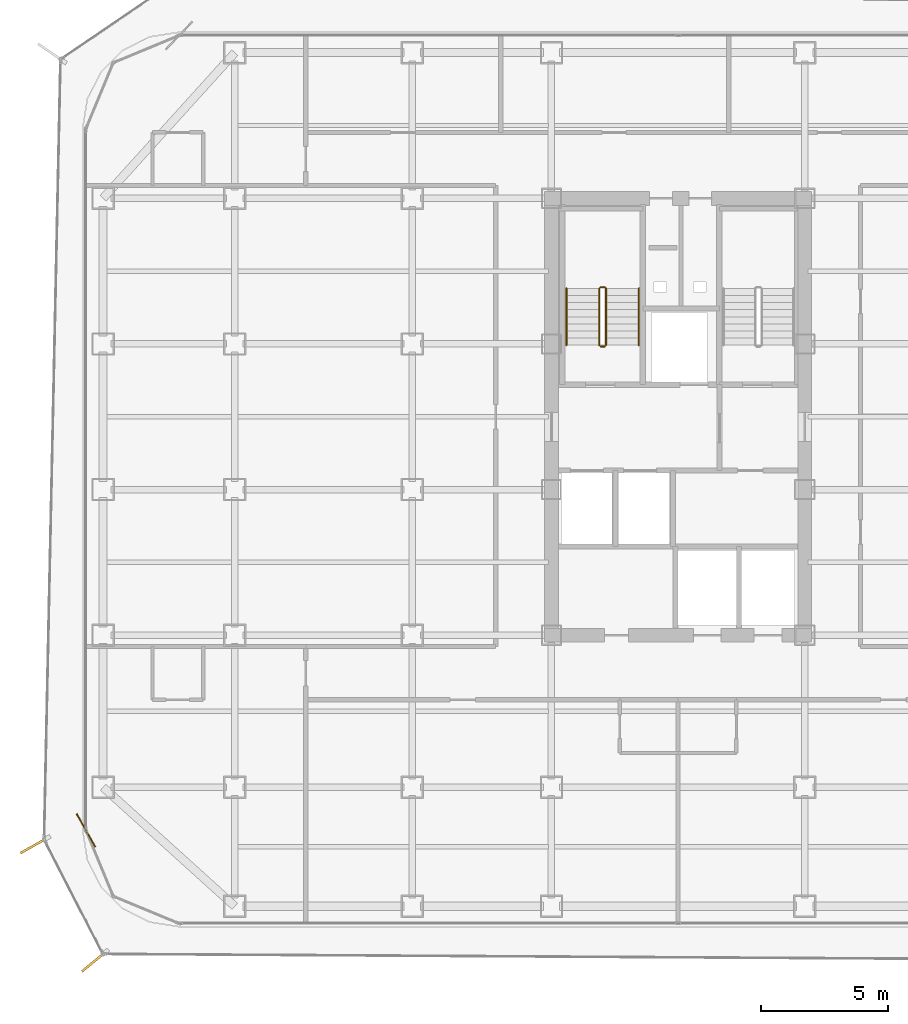
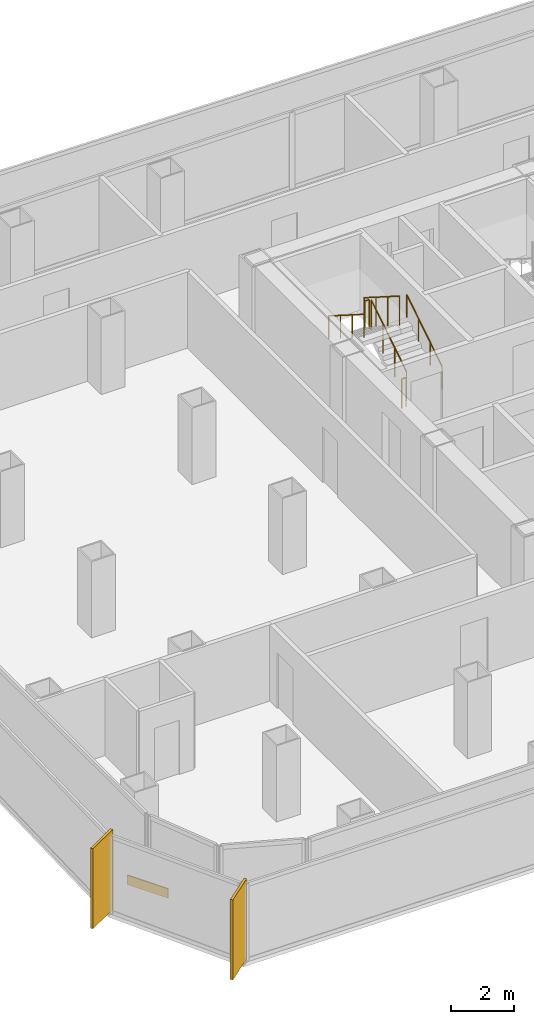
# One storey, part 19 of 21: 6 railings, 2 shading devices, 1 covering.
"""IFC4 building model written with IfcOpenShell, lengths in metres."""

from ifc_helpers import new_model, si_unit, direction, frame, origin, origin_2d, place, context, subcontext, project, spatial, rectangle, circle, extrude, source, transform, mapped, material, layer, layer_set, type_object, element, save


model = new_model("IFC4")

# Units and contexts
model_context = context("Model", 3, precision=1e-05, world=origin(), true_north=direction((0.0, 1.0)))
body_context = subcontext(model_context, "Body", "Model", "MODEL_VIEW")
ifc_project = project(units=[si_unit("LENGTHUNIT", "METRE"), si_unit("AREAUNIT", "SQUARE_METRE"), si_unit("VOLUMEUNIT", "CUBIC_METRE"), si_unit("PLANEANGLEUNIT", "RADIAN"), si_unit("MASSUNIT", "GRAM", prefix="KILO")], contexts=[model_context])

# Site, building, storey
site_placement = place(None, origin())
site = spatial("IfcSite", under=ifc_project, at=site_placement, CompositionType="ELEMENT")
building_placement = place(site_placement, origin())
building = spatial("IfcBuilding", under=site, at=building_placement, Name="Kolveth Station Tower", CompositionType="ELEMENT")
storey_placement = place(building_placement, frame((0.0, 0.0, 137.5)))
storey = spatial("IfcBuildingStorey", under=building, at=storey_placement, Name="L38", CompositionType="ELEMENT", Elevation=137.5)

# Railings
ifc_material_1 = material(Name="Painted Steel S355 balustrade", Category="steel")
railing_type_1 = type_object("IfcRailingType", Name="Guard_GR2", PredefinedType="BALUSTRADE", material=ifc_material_1)
railing_1_placement = place(storey_placement, frame((20.64990234375, 22.949951171875, 0.177734375)))
element("IfcRailing", 1, at=railing_1_placement, inside=storey, type_object=railing_type_1, Name="L38 ST1 stair guard 1", PredefinedType="BALUSTRADE", context=body_context, shape_type="SweptSolid", body=[
    extrude(circle(Radius=0.02392578125, at=origin_2d()), frame((0.0, 0.0, 1.1259765625), z_axis=(0.0, 0.84418770128, 0.536047689118), x_axis=(-1.0, 0.0, 0.0)), (0.0, 0.0, 1.0), 2.6533203125),
    extrude(circle(Radius=0.02099609375, at=origin_2d()), origin(), (0.0, 0.0, 1.0), 1.101806640625),
    extrude(circle(Radius=0.02099609375, at=origin_2d()), frame((0.0, 0.74658203125, 0.47412109375)), (0.0, 0.0, 1.0), 1.101806640625),
    extrude(circle(Radius=0.02099609375, at=origin_2d()), frame((0.0, 1.493408203125, 0.9482421875)), (0.0, 0.0, 1.0), 1.101806640625),
    extrude(circle(Radius=0.02099609375, at=origin_2d()), frame((0.0, 2.239990234375, 1.42236328125)), (0.0, 0.0, 1.0), 1.101806640625),
])
railing_2_placement = place(storey_placement, frame((20.60009765625, 25.239990234375, 1.60009765625)))
element("IfcRailing", 2, at=railing_2_placement, inside=storey, type_object=railing_type_1, Name="L38 ST1 stair guard 2", PredefinedType="BALUSTRADE", context=body_context, shape_type="SweptSolid", body=[
    extrude(circle(Radius=0.02392578125, at=origin_2d()), frame((0.0, 0.0, 1.1259765625), z_axis=(-1.0, 0.0, 0.0), x_axis=(0.0, -1.0, 0.0)), (0.0, 0.0, 1.0), 0.16015625),
    extrude(circle(Radius=0.02099609375, at=origin_2d()), origin(), (0.0, 0.0, 1.0), 1.101806640625),
    extrude(circle(Radius=0.02099609375, at=origin_2d()), frame((-0.16015625, 0.0, 0.0)), (0.0, 0.0, 1.0), 1.101806640625),
])
railing_3_placement = place(storey_placement, frame((20.389892578125, 25.18994140625, 1.77783203125)))
element("IfcRailing", 3, at=railing_3_placement, inside=storey, type_object=railing_type_1, Name="L38 ST1 stair guard 3", PredefinedType="BALUSTRADE", context=body_context, shape_type="SweptSolid", body=[
    extrude(circle(Radius=0.02392578125, at=origin_2d()), frame((0.0, 0.0, 1.1259765625), z_axis=(0.0, -0.8442293374, 0.53598211339), x_axis=(1.0, 0.0, 0.0)), (0.0, 0.0, 1.0), 2.6533203125),
    extrude(circle(Radius=0.02099609375, at=origin_2d()), origin(), (0.0, 0.0, 1.0), 1.101806640625),
    extrude(circle(Radius=0.02099609375, at=origin_2d()), frame((0.0, -0.74658203125, 0.47412109375)), (0.0, 0.0, 1.0), 1.101806640625),
    extrude(circle(Radius=0.02099609375, at=origin_2d()), frame((0.0, -1.493408203125, 0.947998046875)), (0.0, 0.0, 1.0), 1.101806640625),
    extrude(circle(Radius=0.02099609375, at=origin_2d()), frame((0.0, -2.239990234375, 1.422119140625)), (0.0, 0.0, 1.0), 1.101806640625),
])
railing_4_placement = place(storey_placement, frame((20.60009765625, 22.89990234375, 0.0)))
element("IfcRailing", 4, at=railing_4_placement, inside=storey, type_object=railing_type_1, Name="L38 ST1 stair guard 4", PredefinedType="BALUSTRADE", context=body_context, shape_type="SweptSolid", body=[
    extrude(circle(Radius=0.02392578125, at=origin_2d()), frame((0.0, 0.0, 1.1259765625), z_axis=(-1.0, 0.0, 0.0), x_axis=(0.0, -1.0, 0.0)), (0.0, 0.0, 1.0), 0.16015625),
    extrude(circle(Radius=0.02099609375, at=origin_2d()), origin(), (0.0, 0.0, 1.0), 1.101806640625),
    extrude(circle(Radius=0.02099609375, at=origin_2d()), frame((-0.16015625, 0.0, 0.0)), (0.0, 0.0, 1.0), 1.101806640625),
])
ifc_material_2 = material(Name="Brushed stainless steel", Category="steel")
railing_type_2 = type_object("IfcRailingType", Name="Handrail_HR1", PredefinedType="HANDRAIL", material=ifc_material_2)
railing_5_placement = place(storey_placement, frame((21.949951171875, 22.949951171875, 0.177734375)))
element("IfcRailing", 5, at=railing_5_placement, inside=storey, type_object=railing_type_2, Name="L38 ST1 stair handrail 1", PredefinedType="HANDRAIL", context=body_context, shape_type="SweptSolid", body=[
    extrude(circle(Radius=0.02392578125, at=origin_2d()), frame((0.0, 0.0, 0.8759765625), z_axis=(0.0, 0.84418770128, 0.536047689118), x_axis=(-1.0, 0.0, 0.0)), (0.0, 0.0, 1.0), 2.6533203125),
    extrude(circle(Radius=0.02099609375, at=origin_2d()), origin(), (0.0, 0.0, 1.0), 0.851806640625),
    extrude(circle(Radius=0.02099609375, at=origin_2d()), frame((0.0, 0.74658203125, 0.47412109375)), (0.0, 0.0, 1.0), 0.851806640625),
    extrude(circle(Radius=0.02099609375, at=origin_2d()), frame((0.0, 1.493408203125, 0.9482421875)), (0.0, 0.0, 1.0), 0.851806640625),
    extrude(circle(Radius=0.02099609375, at=origin_2d()), frame((0.0, 2.239990234375, 1.42236328125)), (0.0, 0.0, 1.0), 0.851806640625),
])
railing_6_placement = place(storey_placement, frame((19.090087890625, 25.18994140625, 1.77783203125)))
element("IfcRailing", 6, at=railing_6_placement, inside=storey, type_object=railing_type_2, Name="L38 ST1 stair handrail 2", PredefinedType="HANDRAIL", context=body_context, shape_type="SweptSolid", body=[
    extrude(circle(Radius=0.02392578125, at=origin_2d()), frame((0.0, 0.0, 0.8759765625), z_axis=(0.0, -0.8442293374, 0.53598211339), x_axis=(1.0, 0.0, 0.0)), (0.0, 0.0, 1.0), 2.6533203125),
    extrude(circle(Radius=0.02099609375, at=origin_2d()), origin(), (0.0, 0.0, 1.0), 0.851806640625),
    extrude(circle(Radius=0.02099609375, at=origin_2d()), frame((0.0, -0.74658203125, 0.47412109375)), (0.0, 0.0, 1.0), 0.851806640625),
    extrude(circle(Radius=0.02099609375, at=origin_2d()), frame((0.0, -1.493408203125, 0.947998046875)), (0.0, 0.0, 1.0), 0.851806640625),
    extrude(circle(Radius=0.02099609375, at=origin_2d()), frame((0.0, -2.239990234375, 1.422119140625)), (0.0, 0.0, 1.0), 0.851806640625),
])

# Shading devices
ifc_material_3 = material(Name="Black anodized aluminium 6063-T6", Category="aluminium")
shading_device_type = type_object("IfcShadingDeviceType", Name="FIN_VF1", PredefinedType="USERDEFINED", material=ifc_material_3)
shared_shape_1 = source(origin(), body_context, "Body", "SweptSolid", [
    extrude(rectangle(XDim=1.25, YDim=0.090087890625, at=origin_2d()), origin(), (0.0, 0.0, 1.0), 3.10009765625),
])
for number, where, z_axis, x_axis, name in (
    (7, (-1.916015625, 3.2060546875, 0.0), (0.0, 0.0, 1.0), (-0.869408707144, -0.494093614554, 0.0), "L38 Dark-Aluminium Solar Fin 7"),
    (8, (0.448974609375, -1.375, 0.0), (0.0, 0.0, 1.0), (-0.771291427853, -0.636482154754, 0.0), "L38 Dark-Aluminium Solar Fin 8"),
):
    element("IfcShadingDevice", number, at=place(storey_placement, frame(where, z_axis=z_axis, x_axis=x_axis)), inside=storey, type_object=shading_device_type, Name=name, ObjectType="FIN", PredefinedType="USERDEFINED", context=body_context, shape_type="MappedRepresentation", body=[
        mapped(shared_shape_1, transform((0.0, 0.0, 0.0), x_axis=(1.0, 0.0, 0.0), y_axis=(0.0, 1.0, 0.0), z_axis=(0.0, 0.0, 1.0), scale=1.0)),
    ])

# Covering
ifc_material_4 = material(Name="Charcoal anodized aluminium spandrel cladding", Category="aluminium")
ifc_layer = layer(ifc_material_4, 0.044921875)
ifc_layer_set = layer_set([ifc_layer], Name="Charcoal anodized aluminium spandrel cladding")
covering_type = type_object("IfcCoveringType", Name="Clad_CD1", PredefinedType="CLADDING", material=ifc_layer_set)
shared_shape_2 = source(origin(), body_context, "Body", "SweptSolid", [
    extrude(rectangle(XDim=1.5, YDim=0.044921875, at=origin_2d()), origin(), (0.0, 0.0, 1.0), 0.360107421875),
])
covering_placement = place(storey_placement, frame((0.1201171875, 3.800048828125, 0.0), z_axis=(0.0, 0.0, 1.0), x_axis=(0.494093614554, -0.869408707144, 0.0)))
element("IfcCovering", 9, at=covering_placement, inside=storey, type_object=covering_type, Name="L38 Spandrel Edge Cladding 7", PredefinedType="CLADDING", context=body_context, shape_type="MappedRepresentation", body=[
    mapped(shared_shape_2, transform((0.0, 0.0, 0.0), x_axis=(1.0, 0.0, 0.0), y_axis=(0.0, 1.0, 0.0), z_axis=(0.0, 0.0, 1.0), scale=1.0)),
])

save(model, "model.ifc")
